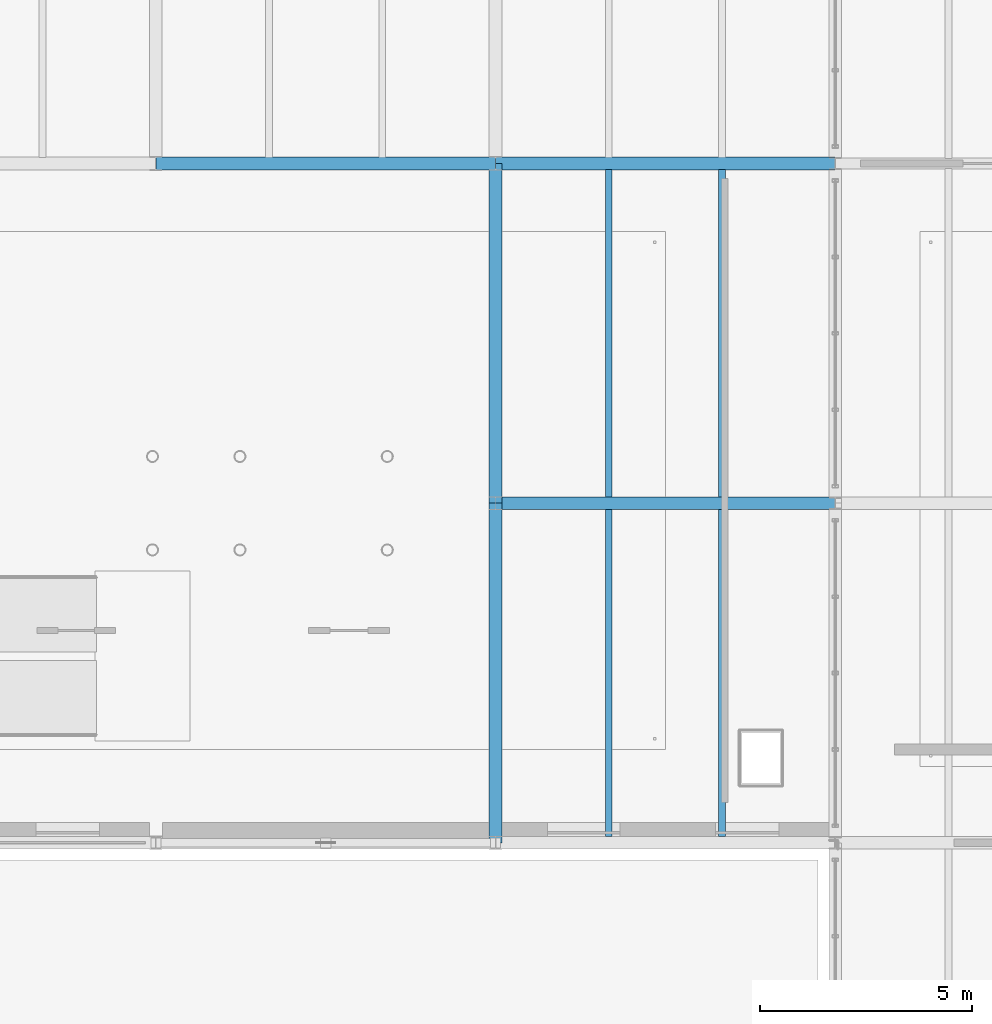
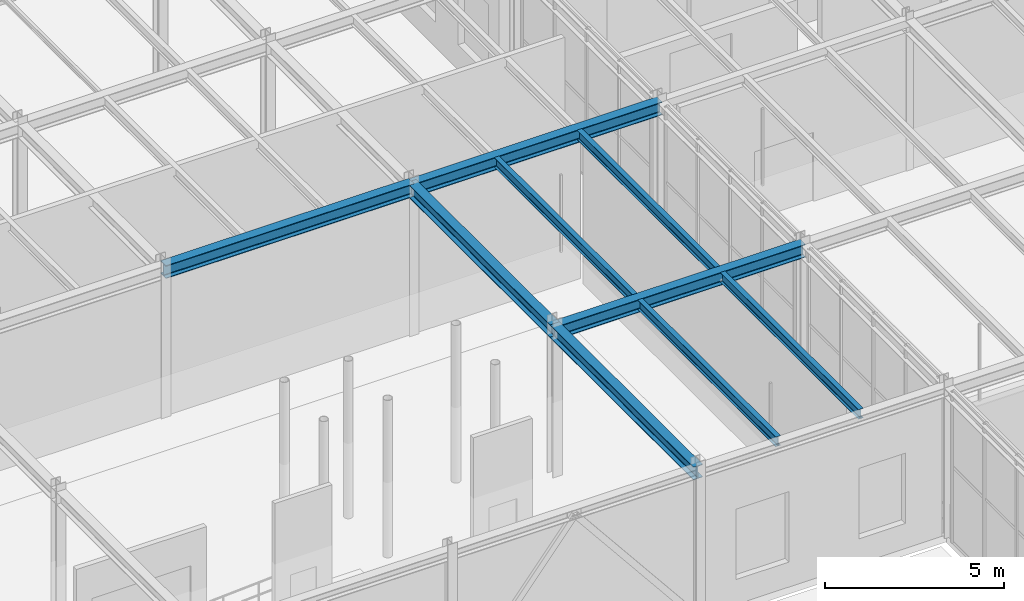
# One storey, part 45 of 129: 9 beams.
"""IFC4 building model written with IfcOpenShell, lengths in metres."""

from ifc_helpers import new_model, si_unit, direction, frame, origin, origin_2d, place, context, subcontext, project, spatial, i_section, extrude, material, material_profile, profile_set, type_object, element, save


model = new_model("IFC4")

# Units and contexts
model_context = context("Model", 3, precision=1e-05, world=origin(), true_north=direction((0.0, 1.0)))
body_context = subcontext(model_context, "Body", "Model", "MODEL_VIEW")
ifc_project = project(units=[si_unit("LENGTHUNIT", "METRE"), si_unit("AREAUNIT", "SQUARE_METRE"), si_unit("VOLUMEUNIT", "CUBIC_METRE"), si_unit("PLANEANGLEUNIT", "RADIAN"), si_unit("MASSUNIT", "GRAM", prefix="KILO")], contexts=[model_context])

# Site, building, storey
site_placement = place(None, origin())
site = spatial("IfcSite", under=ifc_project, at=site_placement, CompositionType="ELEMENT")
building_placement = place(site_placement, origin())
building = spatial("IfcBuilding", under=site, at=building_placement, Name="Sundkrona Museum", CompositionType="ELEMENT")
storey_placement = place(building_placement, origin())
storey = spatial("IfcBuildingStorey", under=building, at=storey_placement, Name="L00", CompositionType="ELEMENT", Elevation=0.0)

# Beams
ifc_material = material(Name="Steel S355J2", Category="steel")
ifc_material_profile_1 = material_profile(ifc_material, i_section(OverallWidth=0.300048828125, OverallDepth=0.43994140625, WebThickness=0.011474609375, FlangeThickness=0.02099609375, FilletRadius=0.027099609375, at=origin_2d()), Name="HEA 450")
ifc_profile_set_1 = profile_set([ifc_material_profile_1], Name="Steel S355J2")
beam_type_1 = type_object("IfcBeamType", Name="B-HEA450", PredefinedType="BEAM", material=ifc_profile_set_1)
for number, where, z_axis, x_axis, name in (
    (1, (72.0, 86.0, 4.919921875), (1.0, 0.0, 0.0), (0.0, 1.0, 0.0), "L00 Girder X-0537"),
    (2, (64.0, 94.0, 4.93994140625), (1.0, 0.0, 0.0), (0.0, 1.0, 0.0), "L00 Girder X-0556"),
    (3, (72.0, 94.0, 4.919921875), (1.0, 0.0, 0.0), (0.0, 1.0, 0.0), "L00 Girder X-0557"),
    (4, (72.0, 78.0, 4.93994140625), (0.0, 1.0, 0.0), (-1.0, 0.0, 0.0), "L00 Girder Y-0666"),
    (5, (72.0, 86.0, 4.93994140625), (0.0, 1.0, 0.0), (-1.0, 0.0, 0.0), "L00 Girder Y-0667"),
):
    element("IfcBeam", number, at=place(storey_placement, frame(where, z_axis=z_axis, x_axis=x_axis)), inside=storey, type_object=beam_type_1, Name=name, PredefinedType="BEAM", context=body_context, shape_type="SweptSolid", body=[
        extrude(i_section(OverallWidth=0.300048828125, OverallDepth=0.43994140625, WebThickness=0.011474609375, FlangeThickness=0.02099609375, FilletRadius=0.027099609375, at=origin_2d()), origin(), (0.0, 0.0, 1.0), 8.0),
    ])
ifc_material_profile_2 = material_profile(ifc_material, i_section(OverallWidth=0.159912109375, OverallDepth=0.330078125, WebThickness=0.007568359375, FlangeThickness=0.011474609375, FilletRadius=0.01806640625, at=origin_2d()), Name="IPE 330")
ifc_profile_set_2 = profile_set([ifc_material_profile_2], Name="Steel S355J2")
beam_type_2 = type_object("IfcBeamType", Name="J-IPE330", PredefinedType="JOIST", material=ifc_profile_set_2)
for number, where, z_axis, x_axis, name in (
    (6, (74.666748046875, 78.14404296875, 4.97509765625), (0.0, 1.0, 0.0), (-1.0, 0.0, 0.0), "L00 Composite Joist 0379"),
    (7, (77.333251953125, 78.14404296875, 4.97509765625), (0.0, 1.0, 0.0), (-1.0, 0.0, 0.0), "L00 Composite Joist 0380"),
    (8, (74.666748046875, 86.14404296875, 4.97509765625), (0.0, 1.0, 0.0), (-1.0, 0.0, 0.0), "L00 Composite Joist 0381"),
    (9, (77.333251953125, 86.14404296875, 4.97509765625), (0.0, 1.0, 0.0), (-1.0, 0.0, 0.0), "L00 Composite Joist 0382"),
):
    element("IfcBeam", number, at=place(storey_placement, frame(where, z_axis=z_axis, x_axis=x_axis)), inside=storey, type_object=beam_type_2, Name=name, PredefinedType="JOIST", context=body_context, shape_type="SweptSolid", body=[
        extrude(i_section(OverallWidth=0.159912109375, OverallDepth=0.330078125, WebThickness=0.007568359375, FlangeThickness=0.011474609375, FilletRadius=0.01806640625, at=origin_2d()), origin(), (0.0, 0.0, 1.0), 7.7119140625),
    ])

save(model, "model.ifc")
